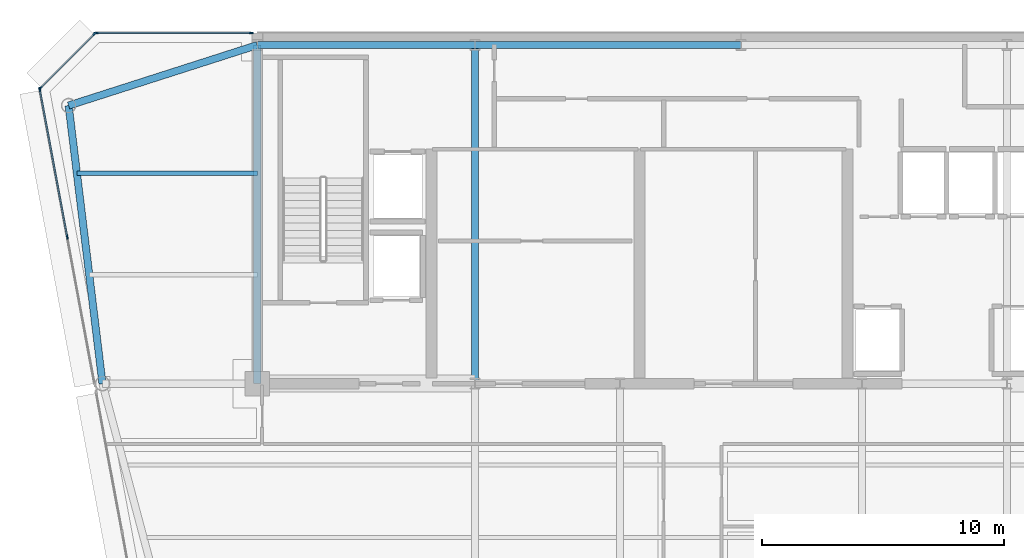
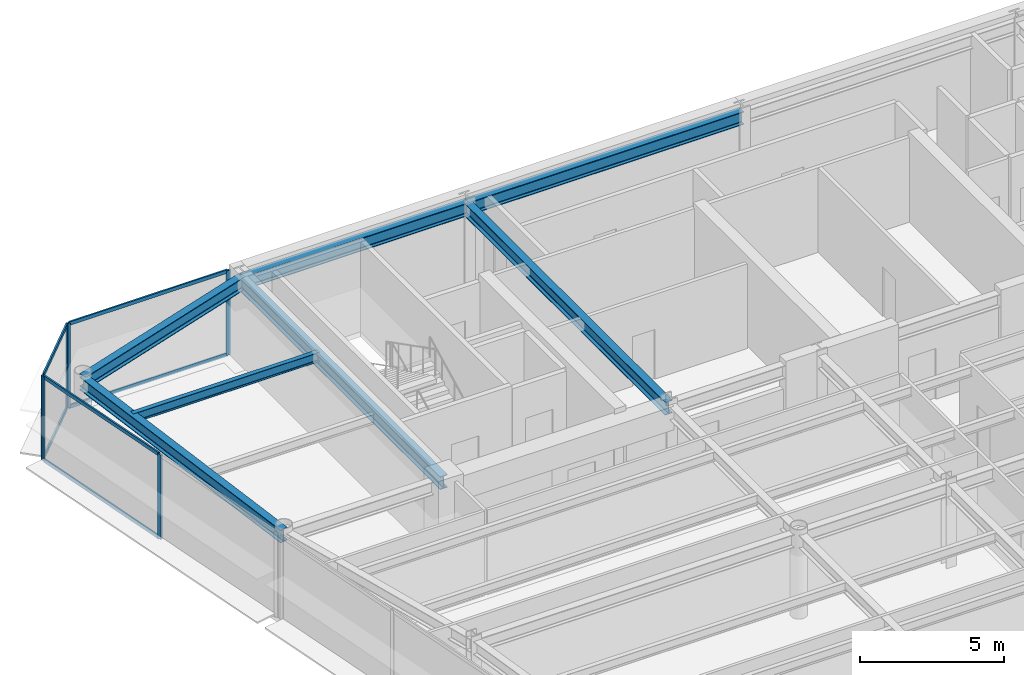
# One storey, part 7 of 18: 12 members, 7 beams, 3 elements without a shape of their own.
"""IFC4 building model written with IfcOpenShell, lengths in metres."""

from ifc_helpers import new_model, si_unit, direction, frame, origin, origin_2d, place, context, subcontext, project, spatial, rectangle, i_section, extrude, source, transform, mapped, material, layer, layer_set, material_profile, profile_set, type_object, element, aggregate, save


model = new_model("IFC4")

# Units and contexts
model_context = context("Model", 3, precision=1e-05, world=origin(), true_north=direction((0.0, 1.0)))
body_context = subcontext(model_context, "Body", "Model", "MODEL_VIEW")
ifc_project = project(units=[si_unit("LENGTHUNIT", "METRE"), si_unit("AREAUNIT", "SQUARE_METRE"), si_unit("VOLUMEUNIT", "CUBIC_METRE"), si_unit("PLANEANGLEUNIT", "RADIAN"), si_unit("MASSUNIT", "GRAM", prefix="KILO")], contexts=[model_context])

# Site, building, storey
site_placement = place(None, origin())
site = spatial("IfcSite", under=ifc_project, at=site_placement, CompositionType="ELEMENT")
building_placement = place(site_placement, origin())
building = spatial("IfcBuilding", under=site, at=building_placement, Name="Vaeldorn Concourse Tower", CompositionType="ELEMENT")
storey_placement = place(building_placement, frame((0.0, 0.0, 261.199951171875)))
storey = spatial("IfcBuildingStorey", under=building, at=storey_placement, Name="L67", CompositionType="ELEMENT", Elevation=261.199951171875)

# Beams
ifc_material_1 = material(Name="Steel S355", Category="steel")
ifc_material_profile_1 = material_profile(ifc_material_1, i_section(OverallWidth=0.179931640625, OverallDepth=0.39990234375, WebThickness=0.008544921875, FlangeThickness=0.013427734375, FilletRadius=0.02099609375, at=origin_2d()), Name="IPE 400")
ifc_profile_set_1 = profile_set([ifc_material_profile_1], Name="Steel S355")
beam_type_1 = type_object("IfcBeamType", Name="BM-JS-IPE400", PredefinedType="JOIST", material=ifc_profile_set_1)
shared_shape_1 = source(origin(), body_context, "Body", "SweptSolid", [
    extrude(i_section(OverallWidth=0.179931640625, OverallDepth=0.39990234375, WebThickness=0.008544921875, FlangeThickness=0.013427734375, FilletRadius=0.02099609375, at=origin_2d()), origin(), (0.0, 0.0, 1.0), 7.458984375),
])
beam_1_placement = place(storey_placement, frame((6.541015625, 45.199951171875, 3.380126953125), z_axis=(1.0, 0.0, 0.0), x_axis=(0.0, 1.0, 0.0)))
element("IfcBeam", 1, at=beam_1_placement, inside=storey, type_object=beam_type_1, Name="Beam JS-L67-NW-452", PredefinedType="JOIST", context=body_context, shape_type="MappedRepresentation", body=[
    mapped(shared_shape_1, transform((0.0, 0.0, 0.0), scale=1.0)),
])
ifc_material_profile_2 = material_profile(ifc_material_1, i_section(OverallWidth=0.300048828125, OverallDepth=0.550048828125, WebThickness=0.014892578125, FlangeThickness=0.029052734375, FilletRadius=0.027099609375, at=origin_2d()), Name="HEB 550")
ifc_profile_set_2 = profile_set([ifc_material_profile_2], Name="Steel S355")
beam_type_2 = type_object("IfcBeamType", Name="BM-PG-HEB550", PredefinedType="BEAM", material=ifc_profile_set_2)
shared_shape_2 = source(origin(), body_context, "Body", "SweptSolid", [
    extrude(i_section(OverallWidth=0.300048828125, OverallDepth=0.550048828125, WebThickness=0.014892578125, FlangeThickness=0.029052734375, FilletRadius=0.027099609375, at=origin_2d()), origin(), (0.0, 0.0, 1.0), 9.0),
])
beam_2_placement = place(storey_placement, frame((14.0, 50.5, 3.304931640625), z_axis=(1.0, 0.0, 0.0), x_axis=(0.0, 1.0, 0.0)))
element("IfcBeam", 2, at=beam_2_placement, inside=storey, type_object=beam_type_2, Name="Beam BM-L67-C-HC1-C-HC2", PredefinedType="BEAM", context=body_context, shape_type="MappedRepresentation", body=[
    mapped(shared_shape_2, transform((0.0, 0.0, 0.0), scale=1.0)),
])
shared_shape_3 = source(origin(), body_context, "Body", "SweptSolid", [
    extrude(i_section(OverallWidth=0.300048828125, OverallDepth=0.550048828125, WebThickness=0.014892578125, FlangeThickness=0.029052734375, FilletRadius=0.027099609375, at=origin_2d()), origin(), (0.0, 0.0, 1.0), 11.0),
])
beam_3_placement = place(storey_placement, frame((23.0, 50.5, 3.304931640625), z_axis=(1.0, 0.0, 0.0), x_axis=(0.0, 1.0, 0.0)))
element("IfcBeam", 3, at=beam_3_placement, inside=storey, type_object=beam_type_2, Name="Beam BM-L67-C-HC2-C-HC3", PredefinedType="BEAM", context=body_context, shape_type="MappedRepresentation", body=[
    mapped(shared_shape_3, transform((0.0, 0.0, 0.0), scale=1.0)),
])
shared_shape_4 = source(origin(), body_context, "Body", "SweptSolid", [
    extrude(i_section(OverallWidth=0.300048828125, OverallDepth=0.550048828125, WebThickness=0.014892578125, FlangeThickness=0.029052734375, FilletRadius=0.027099609375, at=origin_2d()), origin(), (0.0, 0.0, 1.0), 14.0),
])
for number, where, z_axis, x_axis, name in (
    (4, (14.0, 36.5, 3.304931640625), (0.0, 1.0, 0.0), (-1.0, 0.0, 0.0), "Beam BM-L67-C-FC1-C-HC1"),
    (5, (23.0, 36.5, 3.304931640625), (0.0, 1.0, 0.0), (-1.0, 0.0, 0.0), "Beam BM-L67-C-FC2-C-HC2"),
):
    element("IfcBeam", number, at=place(storey_placement, frame(where, z_axis=z_axis, x_axis=x_axis)), inside=storey, type_object=beam_type_2, Name=name, PredefinedType="BEAM", context=body_context, shape_type="MappedRepresentation", body=[
        mapped(shared_shape_4, transform((0.0, 0.0, 0.0), scale=1.0)),
    ])
shared_shape_5 = source(origin(), body_context, "Body", "SweptSolid", [
    extrude(i_section(OverallWidth=0.300048828125, OverallDepth=0.550048828125, WebThickness=0.014892578125, FlangeThickness=0.029052734375, FilletRadius=0.027099609375, at=origin_2d()), origin(), (0.0, 0.0, 1.0), 8.19091796875),
])
beam_4_placement = place(storey_placement, frame((6.199951171875, 48.0, 3.304931640625), z_axis=(0.952282843383, 0.305216949396, 0.0), x_axis=(-0.305216949396, 0.952282843383, 0.0)))
element("IfcBeam", 6, at=beam_4_placement, inside=storey, type_object=beam_type_2, Name="Beam BM-L67-C-NW1-C-HC1", PredefinedType="BEAM", context=body_context, shape_type="MappedRepresentation", body=[
    mapped(shared_shape_5, transform((0.0, 0.0, 0.0), scale=1.0)),
])
shared_shape_6 = source(origin(), body_context, "Body", "SweptSolid", [
    extrude(i_section(OverallWidth=0.300048828125, OverallDepth=0.550048828125, WebThickness=0.014892578125, FlangeThickness=0.029052734375, FilletRadius=0.027099609375, at=origin_2d()), origin(), (0.0, 0.0, 1.0), 11.5849609375),
])
beam_5_placement = place(storey_placement, frame((6.199951171875, 48.0, 3.304931640625), z_axis=(0.120859382899, -0.992669637677, 0.0), x_axis=(0.992669637677, 0.120859382899, 0.0)))
element("IfcBeam", 7, at=beam_5_placement, inside=storey, type_object=beam_type_2, Name="Beam BM-L67-C-NW1-C-NW2", PredefinedType="BEAM", context=body_context, shape_type="MappedRepresentation", body=[
    mapped(shared_shape_6, transform((0.0, 0.0, 0.0), scale=1.0)),
])

# Curtain wall, members
ifc_material_2 = material(Name="Anodised Bronze Aluminium", Category="aluminium")
ifc_layer = layer(ifc_material_2, 0.179931640625)
ifc_layer_set = layer_set([ifc_layer], Name="Anodised Bronze Aluminium")
curtain_wall_type = type_object("IfcCurtainWallType", Name="CW-SYS-05", PredefinedType="NOTDEFINED", material=ifc_layer_set)
curtain_wall_1_placement = place(storey_placement, origin())
curtain_wall_1 = element("IfcCurtainWall", 8, at=curtain_wall_1_placement, inside=storey, type_object=curtain_wall_type, Name="Unitised Curtain Wall CW-L67-E10-1", PredefinedType="NOTDEFINED")
ifc_material_profile_3 = material_profile(ifc_material_2, rectangle(XDim=0.06494140625, YDim=0.14990234375, at=origin_2d()), Name="CWT 65x150")
ifc_profile_set_3 = profile_set([ifc_material_profile_3], Name="Anodised Bronze Aluminium")
member_type_1 = type_object("IfcMemberType", Name="CWT-BRONZE-150", PredefinedType="USERDEFINED", material=ifc_profile_set_3)
shared_shape_7 = source(origin(), body_context, "Body", "SweptSolid", [
    extrude(rectangle(XDim=0.06494140625, YDim=0.14990234375, at=origin_2d()), origin(), (0.0, 0.0, 1.0), 3.123046875),
])
member_1_placement = place(storey_placement, frame((7.254150390625, 50.9541015625, 0.032470703125), z_axis=(-0.707106781187, -0.707106781187, 0.0), x_axis=(0.707106781187, -0.707106781187, 0.0)))
member_1 = element("IfcMember", 9, at=member_1_placement, type_object=member_type_1, Name="CW-05 transom 1.1", ObjectType="TRANSOM", PredefinedType="USERDEFINED", context=body_context, shape_type="MappedRepresentation", body=[
    mapped(shared_shape_7, transform((0.0, 0.0, 0.0), scale=1.0)),
])
member_2_placement = place(storey_placement, frame((7.254150390625, 50.9541015625, 3.547607421875), z_axis=(-0.707106781187, -0.707106781187, 0.0), x_axis=(0.707106781187, -0.707106781187, 0.0)))
member_2 = element("IfcMember", 10, at=member_2_placement, type_object=member_type_1, Name="CW-05 transom 1.2", ObjectType="TRANSOM", PredefinedType="USERDEFINED", context=body_context, shape_type="MappedRepresentation", body=[
    mapped(shared_shape_7, transform((0.0, 0.0, 0.0), scale=1.0)),
])

curtain_wall_2_placement = place(storey_placement, origin())
curtain_wall_2 = element("IfcCurtainWall", 11, at=curtain_wall_2_placement, inside=storey, type_object=curtain_wall_type, Name="Unitised Curtain Wall CW-L67-E09-2", PredefinedType="NOTDEFINED")
ifc_material_profile_4 = material_profile(ifc_material_2, rectangle(XDim=0.06494140625, YDim=0.169921875, at=origin_2d()), Name="CWM 65x170")
ifc_profile_set_4 = profile_set([ifc_material_profile_4], Name="Anodised Bronze Aluminium")
member_type_2 = type_object("IfcMemberType", Name="CWM-BRONZE-170", PredefinedType="MULLION", material=ifc_profile_set_4)
shared_shape_8 = source(origin(), body_context, "Body", "SweptSolid", [
    extrude(rectangle(XDim=0.06494140625, YDim=0.169921875, at=origin_2d()), origin(), (0.0, 0.0, 1.0), 3.580078125),
])
member_3_placement = place(storey_placement, frame((13.74755859375, 51.0, 0.0), z_axis=(0.0, 0.0, 1.0), x_axis=(0.0, -1.0, 0.0)))
member_3 = element("IfcMember", 12, at=member_3_placement, type_object=member_type_2, Name="CW-05 mullion 1", PredefinedType="MULLION", context=body_context, shape_type="MappedRepresentation", body=[
    mapped(shared_shape_8, transform((0.0, 0.0, 0.0), scale=1.0)),
])
member_4_placement = place(storey_placement, frame((7.33251953125, 51.0, 0.0), z_axis=(0.0, 0.0, 1.0), x_axis=(0.0, -1.0, 0.0)))
member_4 = element("IfcMember", 13, at=member_4_placement, type_object=member_type_2, Name="CW-05 mullion 2", PredefinedType="MULLION", context=body_context, shape_type="MappedRepresentation", body=[
    mapped(shared_shape_8, transform((0.0, 0.0, 0.0), scale=1.0)),
])

# Member
member_5_placement = place(storey_placement, frame((7.277099609375, 50.97705078125, 0.0), z_axis=(0.0, 0.0, 1.0), x_axis=(0.707106781187, -0.707106781187, 0.0)))
member_5 = element("IfcMember", 14, at=member_5_placement, type_object=member_type_2, Name="CW-05 mullion 1", PredefinedType="MULLION", context=body_context, shape_type="MappedRepresentation", body=[
    mapped(shared_shape_8, transform((0.0, 0.0, 0.0), scale=1.0)),
])

member_6_placement = place(storey_placement, frame((5.02294921875, 48.722900390625, 0.0), z_axis=(0.0, 0.0, 1.0), x_axis=(0.707106781187, -0.707106781187, 0.0)))
member_6 = element("IfcMember", 15, at=member_6_placement, type_object=member_type_2, Name="CW-05 mullion 2", PredefinedType="MULLION", context=body_context, shape_type="MappedRepresentation", body=[
    mapped(shared_shape_8, transform((0.0, 0.0, 0.0), scale=1.0)),
])

aggregate(curtain_wall_1, [member_5, member_6, member_1, member_2])

# Curtain wall, members
curtain_wall_3_placement = place(storey_placement, origin())
curtain_wall_3 = element("IfcCurtainWall", 16, at=curtain_wall_3_placement, inside=storey, type_object=curtain_wall_type, Name="Unitised Curtain Wall CW-L67-E11-1", PredefinedType="NOTDEFINED")
member_7_placement = place(storey_placement, frame((5.005859375, 48.66796875, 0.0), z_axis=(0.0, 0.0, 1.0), x_axis=(0.983102768025, 0.183054493257, 0.0)))
member_7 = element("IfcMember", 17, at=member_7_placement, type_object=member_type_2, Name="CW-05 mullion 1", PredefinedType="MULLION", context=body_context, shape_type="MappedRepresentation", body=[
    mapped(shared_shape_8, transform((0.0, 0.0, 0.0), scale=1.0)),
])
member_8_placement = place(storey_placement, frame((6.142578125, 42.564208984375, 0.0), z_axis=(0.0, 0.0, 1.0), x_axis=(0.983102768025, 0.183054493257, 0.0)))
member_8 = element("IfcMember", 18, at=member_8_placement, type_object=member_type_2, Name="CW-05 mullion 2", PredefinedType="MULLION", context=body_context, shape_type="MappedRepresentation", body=[
    mapped(shared_shape_8, transform((0.0, 0.0, 0.0), scale=1.0)),
])
shared_shape_9 = source(origin(), body_context, "Body", "SweptSolid", [
    extrude(rectangle(XDim=0.06494140625, YDim=0.14990234375, at=origin_2d()), origin(), (0.0, 0.0, 1.0), 6.1435546875),
])
member_9_placement = place(storey_placement, frame((5.011962890625, 48.635986328125, 0.032470703125), z_axis=(0.183038328644, -0.983105777751, 0.0), x_axis=(0.983105777751, 0.183038328644, 0.0)))
member_9 = element("IfcMember", 19, at=member_9_placement, type_object=member_type_1, Name="CW-05 transom 1.1", ObjectType="TRANSOM", PredefinedType="USERDEFINED", context=body_context, shape_type="MappedRepresentation", body=[
    mapped(shared_shape_9, transform((0.0, 0.0, 0.0), scale=1.0)),
])
member_10_placement = place(storey_placement, frame((5.011962890625, 48.635986328125, 3.547607421875), z_axis=(0.183038328644, -0.983105777751, 0.0), x_axis=(0.983105777751, 0.183038328644, 0.0)))
member_10 = element("IfcMember", 20, at=member_10_placement, type_object=member_type_1, Name="CW-05 transom 1.2", ObjectType="TRANSOM", PredefinedType="USERDEFINED", context=body_context, shape_type="MappedRepresentation", body=[
    mapped(shared_shape_9, transform((0.0, 0.0, 0.0), scale=1.0)),
])
aggregate(curtain_wall_3, [member_7, member_8, member_9, member_10])

# Member
shared_shape_10 = source(origin(), body_context, "Body", "SweptSolid", [
    extrude(rectangle(XDim=0.06494140625, YDim=0.14990234375, at=origin_2d()), origin(), (0.0, 0.0, 1.0), 6.35009765625),
])
member_11_placement = place(storey_placement, frame((13.715087890625, 51.0, 0.032470703125), z_axis=(-1.0, 0.0, 0.0), x_axis=(0.0, -1.0, 0.0)))
member_11 = element("IfcMember", 21, at=member_11_placement, type_object=member_type_1, Name="CW-05 transom 1.1", ObjectType="TRANSOM", PredefinedType="USERDEFINED", context=body_context, shape_type="MappedRepresentation", body=[
    mapped(shared_shape_10, transform((0.0, 0.0, 0.0), scale=1.0)),
])

member_12_placement = place(storey_placement, frame((13.715087890625, 51.0, 3.547607421875), z_axis=(-1.0, 0.0, 0.0), x_axis=(0.0, -1.0, 0.0)))
member_12 = element("IfcMember", 22, at=member_12_placement, type_object=member_type_1, Name="CW-05 transom 1.2", ObjectType="TRANSOM", PredefinedType="USERDEFINED", context=body_context, shape_type="MappedRepresentation", body=[
    mapped(shared_shape_10, transform((0.0, 0.0, 0.0), scale=1.0)),
])

aggregate(curtain_wall_2, [member_3, member_4, member_11, member_12])

save(model, "model.ifc")
